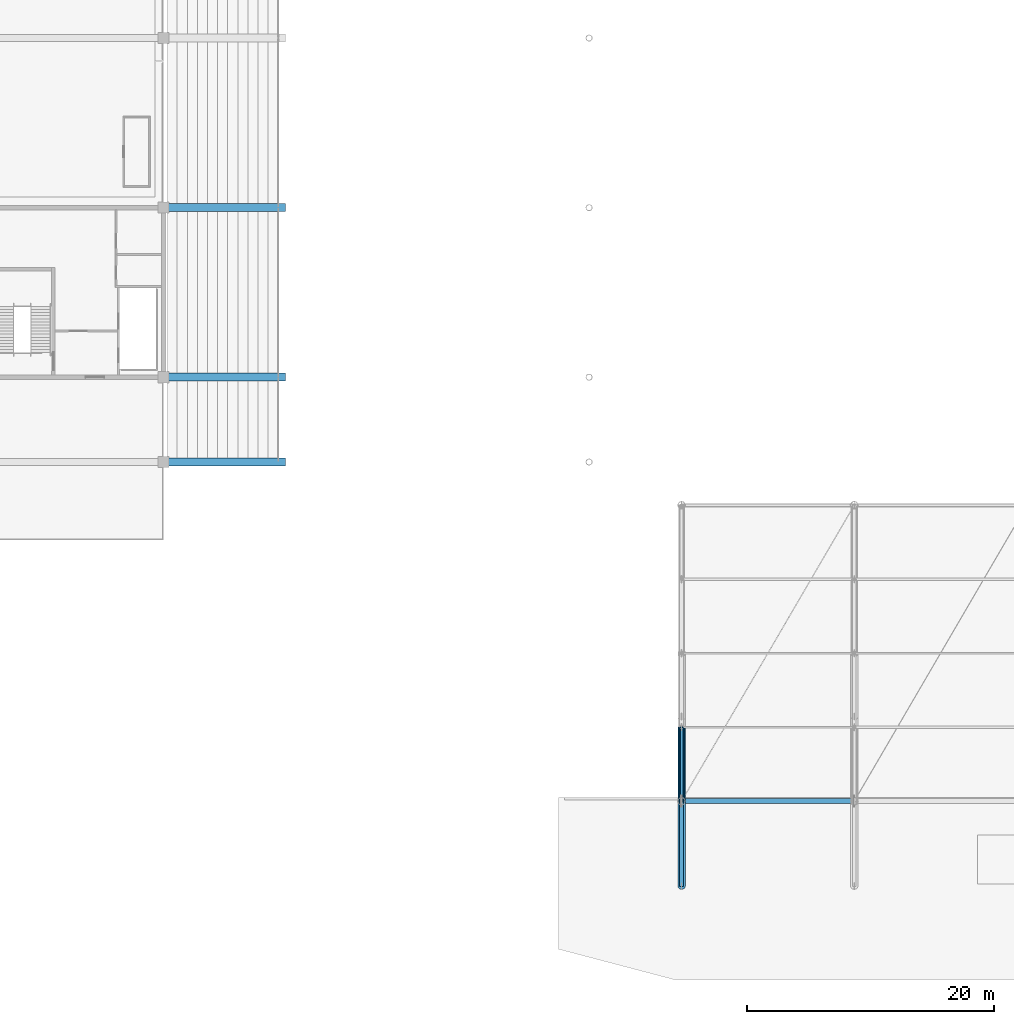
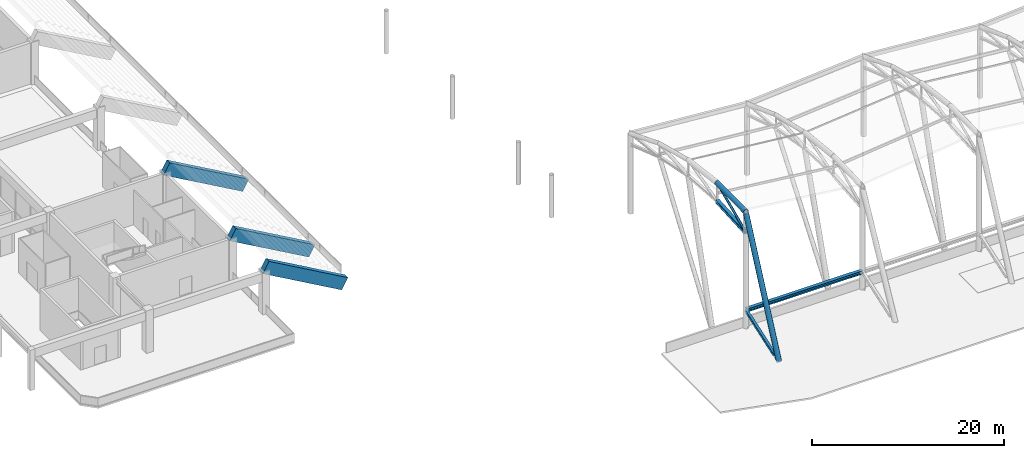
# One storey, part 16 of 90: 5 members, 4 beams.
"""IFC4 building model written with IfcOpenShell, lengths in metres."""

from ifc_helpers import new_model, si_unit, direction, frame, origin, origin_2d, place, context, subcontext, project, spatial, rectangle, hollow_circle, i_section, extrude, material, material_profile, profile_set, type_object, element, save


model = new_model("IFC4")

# Units and contexts
model_context = context("Model", 3, precision=1e-05, world=origin(), true_north=direction((0.0, 1.0)))
body_context = subcontext(model_context, "Body", "Model", "MODEL_VIEW")
ifc_project = project(units=[si_unit("LENGTHUNIT", "METRE"), si_unit("AREAUNIT", "SQUARE_METRE"), si_unit("VOLUMEUNIT", "CUBIC_METRE"), si_unit("PLANEANGLEUNIT", "RADIAN"), si_unit("MASSUNIT", "GRAM", prefix="KILO")], contexts=[model_context])

# Site, building, storey
site_placement = place(None, origin())
site = spatial("IfcSite", under=ifc_project, at=site_placement, CompositionType="ELEMENT")
building_placement = place(site_placement, origin())
building = spatial("IfcBuilding", under=site, at=building_placement, Name="Linyun Crest Stadium", CompositionType="ELEMENT")
storey_placement = place(building_placement, frame((0.0, 0.0, 21.0)))
storey = spatial("IfcBuildingStorey", under=building, at=storey_placement, Name="L05", CompositionType="ELEMENT", Elevation=21.0)

# Beams
ifc_material_1 = material(Name="Steel Q420C", Category="steel")
ifc_material_profile_1 = material_profile(ifc_material_1, i_section(OverallWidth=0.405029296875, OverallDepth=0.4140625, WebThickness=0.01806640625, FlangeThickness=0.028076171875, at=origin_2d()), Name="HW 414x405")
ifc_profile_set_1 = profile_set([ifc_material_profile_1], Name="Steel Q420C")
beam_type_1 = type_object("IfcBeamType", Name="HB04", PredefinedType="USERDEFINED", material=ifc_profile_set_1)
beam_placement = place(storey_placement, frame((-28.0, -73.5, 2.195068359375), z_axis=(1.0, 0.0, 0.0), x_axis=(0.0, 1.0, 0.0)))
element("IfcBeam", 1, at=beam_placement, inside=storey, type_object=beam_type_1, Name="Roof Outer compression ring beam HB04 V4 38", ObjectType="RING BEAM", PredefinedType="USERDEFINED", context=body_context, shape_type="SweptSolid", body=[
    extrude(i_section(OverallWidth=0.405029296875, OverallDepth=0.4140625, WebThickness=0.01806640625, FlangeThickness=0.028076171875, at=origin_2d()), origin(), (0.0, 0.0, 1.0), 14.0),
])
ifc_material_2 = material(Name="Precast concrete C50", Category="concrete")
ifc_material_profile_2 = material_profile(ifc_material_2, rectangle(XDim=0.64990234375, YDim=1.5, at=origin_2d()), Name="PCR 1500x650")
ifc_profile_set_2 = profile_set([ifc_material_profile_2], Name="Precast concrete C50")
beam_type_2 = type_object("IfcBeamType", Name="RB04", PredefinedType="USERDEFINED", material=ifc_profile_set_2)
for number, where, z_axis, x_axis, name in (
    (2, (-60.5, -46.0, 0.39990234375), (-0.869361451527, 0.0, 0.494176756433), (0.0, -1.0, 0.0), "Precast raker beam RB04 V1 4"),
    (3, (-60.5, -39.125, 0.39990234375), (-0.869361451527, 0.0, 0.494176756433), (0.0, -1.0, 0.0), "Precast raker beam RB04 V1 12"),
    (4, (-60.5, -25.375, 0.39990234375), (-0.869361451527, 0.0, 0.494176756433), (0.0, -1.0, 0.0), "Precast raker beam RB04 V1 20"),
):
    element("IfcBeam", number, at=place(storey_placement, frame(where, z_axis=z_axis, x_axis=x_axis)), inside=storey, type_object=beam_type_2, Name=name, ObjectType="RAKER", PredefinedType="USERDEFINED", context=body_context, shape_type="SweptSolid", body=[
        extrude(rectangle(XDim=0.64990234375, YDim=1.5, at=origin_2d()), origin(), (0.0, 0.0, 1.0), 10.927490234375),
    ])

# Members
ifc_material_3 = material(Name="Steel Q420C", Category="steel")
ifc_material_profile_3 = material_profile(ifc_material_3, hollow_circle(Radius=0.304931640625, WallThickness=0.030029296875, at=origin_2d()), Name="CHS 610x30")
ifc_profile_set_3 = profile_set([ifc_material_profile_3], Name="Steel Q420C")
member_type_1 = type_object("IfcMemberType", Name="TC02", PredefinedType="CHORD", material=ifc_profile_set_3)
member_1_placement = place(storey_placement, frame((-28.0, -73.5, 14.5), z_axis=(0.0, -0.423524282571, -0.905884750988), x_axis=(1.0, 0.0, 0.0)))
element("IfcMember", 5, at=member_1_placement, inside=storey, type_object=member_type_1, Name="Roof truss back-stay chord TC02 V4 472", PredefinedType="CHORD", context=body_context, shape_type="SweptSolid", body=[
    extrude(hollow_circle(Radius=0.304931640625, WallThickness=0.030029296875, at=origin_2d()), origin(), (0.0, 0.0, 1.0), 16.23291015625),
])
member_2_placement = place(storey_placement, frame((-28.0, -73.5, 14.64990234375), z_axis=(0.0, 0.999963840982, 0.008503924266), x_axis=(-1.0, 0.0, 0.0)))
element("IfcMember", 6, at=member_2_placement, inside=storey, type_object=member_type_1, Name="Roof truss top chord TC02 V4 474", PredefinedType="CHORD", context=body_context, shape_type="SweptSolid", body=[
    extrude(hollow_circle(Radius=0.304931640625, WallThickness=0.030029296875, at=origin_2d()), origin(), (0.0, 0.0, 1.0), 6.000244140625),
])
ifc_material_4 = material(Name="Steel Q355C", Category="steel")
ifc_material_profile_4 = material_profile(ifc_material_4, i_section(OverallWidth=0.300048828125, OverallDepth=0.300048828125, WebThickness=0.010009765625, FlangeThickness=0.014892578125, at=origin_2d()), Name="HW 300x300")
ifc_profile_set_4 = profile_set([ifc_material_profile_4], Name="Steel Q355C")
member_type_2 = type_object("IfcMemberType", Name="TC03", PredefinedType="CHORD", material=ifc_profile_set_4)
member_3_placement = place(storey_placement, frame((-28.0, -73.5, 2.195068359375), z_axis=(0.0, -0.944119407073, -0.329603618286), x_axis=(1.0, 0.0, 0.0)))
element("IfcMember", 7, at=member_3_placement, inside=storey, type_object=member_type_2, Name="Roof truss lower back-span chord TC03 V4 473", PredefinedType="CHORD", context=body_context, shape_type="SweptSolid", body=[
    extrude(i_section(OverallWidth=0.300048828125, OverallDepth=0.300048828125, WebThickness=0.010009765625, FlangeThickness=0.014892578125, at=origin_2d()), origin(), (0.0, 0.0, 1.0), 7.281982421875),
])
ifc_material_5 = material(Name="Steel Q420C", Category="steel")
ifc_material_profile_5 = material_profile(ifc_material_5, i_section(OverallWidth=0.407958984375, OverallDepth=0.39990234375, WebThickness=0.02099609375, FlangeThickness=0.02099609375, at=origin_2d()), Name="HW 400x408")
ifc_profile_set_5 = profile_set([ifc_material_profile_5], Name="Steel Q420C")
member_type_3 = type_object("IfcMemberType", Name="TC04", PredefinedType="CHORD", material=ifc_profile_set_5)
member_4_placement = place(storey_placement, frame((-28.0, -73.5, 12.050048828125), z_axis=(0.0, 0.998174511601, 0.060395731557), x_axis=(-1.0, 0.0, 0.0)))
element("IfcMember", 8, at=member_4_placement, inside=storey, type_object=member_type_3, Name="Roof truss bottom chord TC04 V4 475", PredefinedType="CHORD", context=body_context, shape_type="SweptSolid", body=[
    extrude(i_section(OverallWidth=0.407958984375, OverallDepth=0.39990234375, WebThickness=0.02099609375, FlangeThickness=0.02099609375, at=origin_2d()), origin(), (0.0, 0.0, 1.0), 6.010986328125),
])
ifc_material_6 = material(Name="Steel Q355C", Category="steel")
ifc_material_profile_6 = material_profile(ifc_material_6, hollow_circle(Radius=0.136474609375, WallThickness=0.013916015625, at=origin_2d()), Name="CHS 273x14")
ifc_profile_set_6 = profile_set([ifc_material_profile_6], Name="Steel Q355C")
member_type_4 = type_object("IfcMemberType", Name="TD01", PredefinedType="BRACE", material=ifc_profile_set_6)
member_5_placement = place(storey_placement, frame((-28.0, -73.5, 12.050048828125), z_axis=(0.0, 0.914702602644, 0.40412763914), x_axis=(-1.0, 0.0, 0.0)))
element("IfcMember", 9, at=member_5_placement, inside=storey, type_object=member_type_4, Name="Roof truss diagonal TD01 V4 476", PredefinedType="BRACE", context=body_context, shape_type="SweptSolid", body=[
    extrude(hollow_circle(Radius=0.136474609375, WallThickness=0.013916015625, at=origin_2d()), origin(), (0.0, 0.0, 1.0), 6.5595703125),
])

save(model, "model.ifc")
